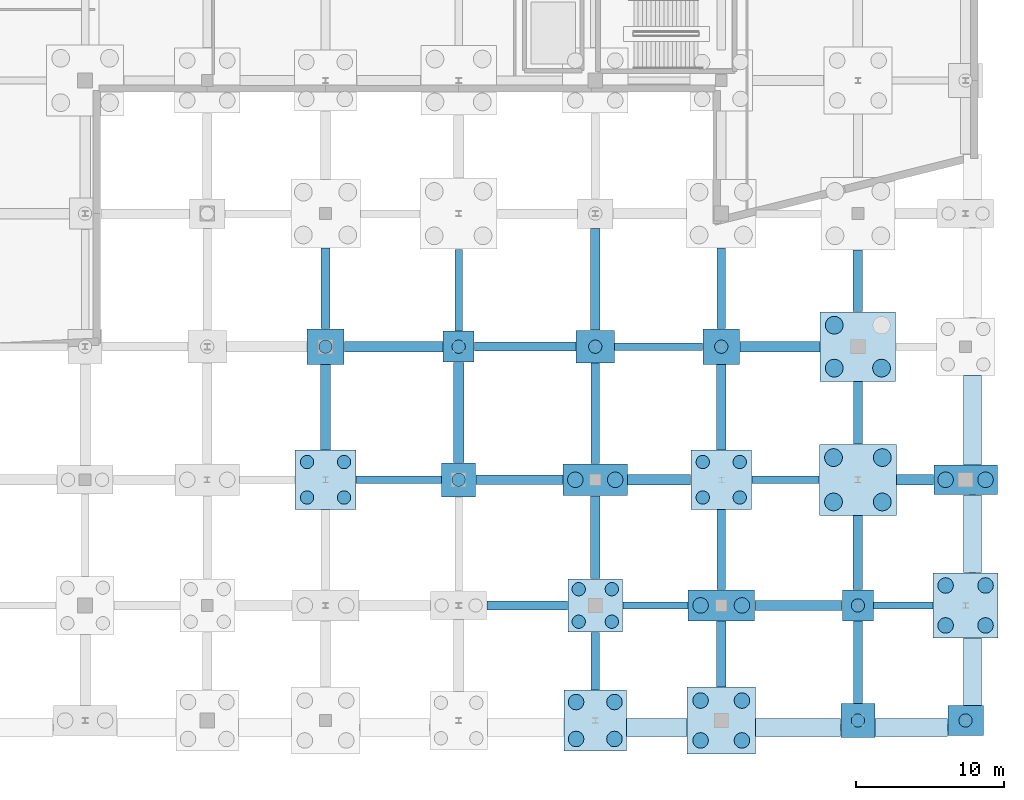
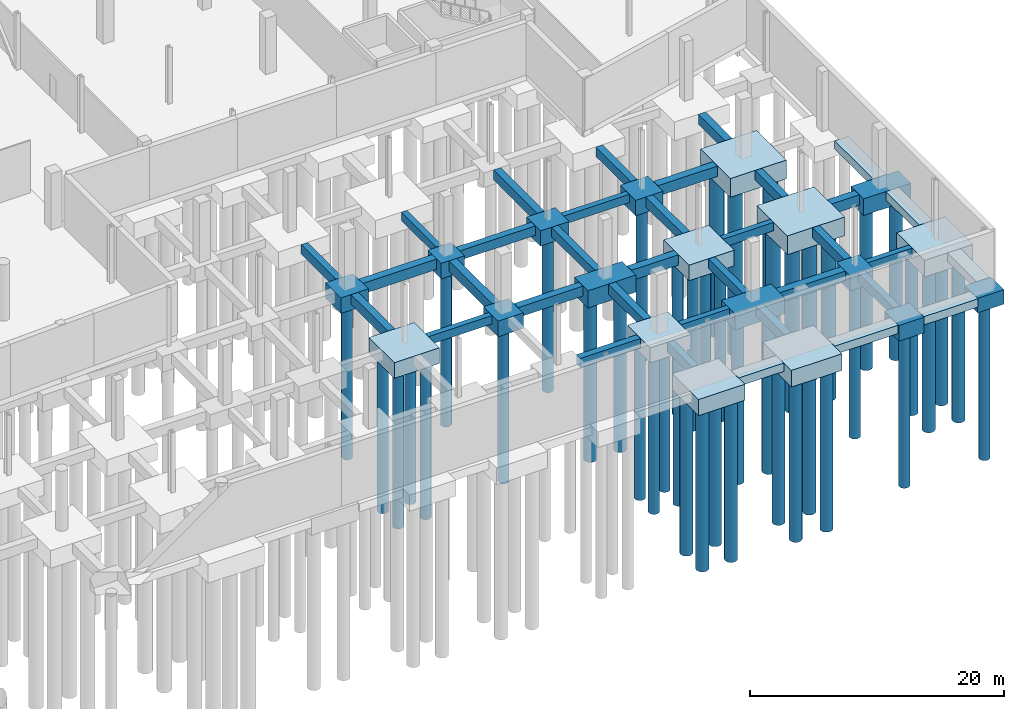
# One storey, part 11 of 60: 54 footings, 45 piles.
"""IFC4 building model written with IfcOpenShell, lengths in metres."""

from ifc_helpers import new_model, si_unit, direction, frame, origin, origin_2d, place, context, subcontext, project, spatial, rectangle, circle, extrude, material, material_profile, profile_set, type_object, element, save


model = new_model("IFC4")

# Units and contexts
model_context = context("Model", 3, precision=1e-05, world=origin(), true_north=direction((0.0, 1.0)))
body_context = subcontext(model_context, "Body", "Model", "MODEL_VIEW")
ifc_project = project(units=[si_unit("LENGTHUNIT", "METRE"), si_unit("AREAUNIT", "SQUARE_METRE"), si_unit("VOLUMEUNIT", "CUBIC_METRE"), si_unit("PLANEANGLEUNIT", "RADIAN"), si_unit("MASSUNIT", "GRAM", prefix="KILO")], contexts=[model_context])

# Site, building, storey
site_placement = place(None, origin())
site = spatial("IfcSite", under=ifc_project, at=site_placement, CompositionType="ELEMENT")
building_placement = place(site_placement, origin())
building = spatial("IfcBuilding", under=site, at=building_placement, Name="Trimount Lyric Opera House", CompositionType="ELEMENT")
storey_placement = place(building_placement, frame((0.0, 0.0, -5.39990234375)))
storey = spatial("IfcBuildingStorey", under=building, at=storey_placement, Name="B1", CompositionType="ELEMENT", Elevation=-5.39990234375)

# Footings
ifc_material_1 = material(Name="Concrete C40/50", Category="concrete")
footing_type_1 = type_object("IfcFootingType", Name="FB-01", PredefinedType="FOOTING_BEAM", material=ifc_material_1)
footing_1_placement = place(storey_placement, frame((134.60009765625, 26.0, -1.60009765625), z_axis=(0.0, 0.0, 1.0), x_axis=(1.0, 0.0, 0.0)))
element("IfcFooting", 1, at=footing_1_placement, inside=storey, type_object=footing_type_1, Name="Ground tie beam X-0316", PredefinedType="FOOTING_BEAM", context=body_context, shape_type="SweptSolid", body=[
    extrude(rectangle(XDim=6.669921875, YDim=0.699951171875, at=origin_2d()), origin(), (0.0, 0.0, 1.0), 1.0),
])
footing_2_placement = place(storey_placement, frame((139.0, 21.550048828125, -1.60009765625), z_axis=(0.0, 0.0, 1.0), x_axis=(1.0, 0.0, 0.0)))
element("IfcFooting", 2, at=footing_2_placement, inside=storey, type_object=footing_type_1, Name="Ground tie beam Y-0336", PredefinedType="FOOTING_BEAM", context=body_context, shape_type="SweptSolid", body=[
    extrude(rectangle(XDim=0.699951171875, YDim=6.77001953125, at=origin_2d()), origin(), (0.0, 0.0, 1.0), 1.0),
])
footing_3_placement = place(storey_placement, frame((152.5625, 17.0, -1.60009765625), z_axis=(0.0, 0.0, 1.0), x_axis=(1.0, 0.0, 0.0)))
element("IfcFooting", 3, at=footing_3_placement, inside=storey, type_object=footing_type_1, Name="Ground tie beam X-0356", PredefinedType="FOOTING_BEAM", context=body_context, shape_type="SweptSolid", body=[
    extrude(rectangle(XDim=4.264892578125, YDim=0.699951171875, at=origin_2d()), origin(), (0.0, 0.0, 1.0), 1.0),
])
footing_4_placement = place(storey_placement, frame((161.97998046875, 8.5, -1.60009765625), z_axis=(0.0, 0.0, 1.0), x_axis=(1.0, 0.0, 0.0)))
element("IfcFooting", 4, at=footing_4_placement, inside=storey, type_object=footing_type_1, Name="Ground tie beam X-0380", PredefinedType="FOOTING_BEAM", context=body_context, shape_type="SweptSolid", body=[
    extrude(rectangle(XDim=5.909912109375, YDim=0.699951171875, at=origin_2d()), origin(), (0.0, 0.0, 1.0), 1.0),
])
footing_5_placement = place(storey_placement, frame((160.72998046875, 26.0, -1.60009765625), z_axis=(0.0, 0.0, 1.0), x_axis=(1.0, 0.0, 0.0)))
element("IfcFooting", 5, at=footing_5_placement, inside=storey, type_object=footing_type_1, Name="Ground tie beam X-0384", PredefinedType="FOOTING_BEAM", context=body_context, shape_type="SweptSolid", body=[
    extrude(rectangle(XDim=5.409912109375, YDim=0.699951171875, at=origin_2d()), origin(), (0.0, 0.0, 1.0), 1.0),
])
footing_6_placement = place(storey_placement, frame((169.864990234375, 17.0, -1.60009765625), z_axis=(0.0, 0.0, 1.0), x_axis=(1.0, 0.0, 0.0)))
element("IfcFooting", 6, at=footing_6_placement, inside=storey, type_object=footing_type_1, Name="Ground tie beam X-0408", PredefinedType="FOOTING_BEAM", context=body_context, shape_type="SweptSolid", body=[
    extrude(rectangle(XDim=2.5, YDim=0.699951171875, at=origin_2d()), origin(), (0.0, 0.0, 1.0), 1.0),
])
ifc_material_2 = material(Name="Concrete C40/50", Category="concrete")
footing_type_2 = type_object("IfcFootingType", Name="FB-02", PredefinedType="FOOTING_BEAM", material=ifc_material_2)
footing_7_placement = place(storey_placement, frame((130.0, 29.949951171875, -1.5), z_axis=(0.0, 0.0, 1.0), x_axis=(1.0, 0.0, 0.0)))
element("IfcFooting", 7, at=footing_7_placement, inside=storey, type_object=footing_type_2, Name="Ground tie beam Y-0317", PredefinedType="FOOTING_BEAM", context=body_context, shape_type="SweptSolid", body=[
    extrude(rectangle(XDim=0.60009765625, YDim=5.469970703125, at=origin_2d()), origin(), (0.0, 0.0, 1.0), 0.89990234375),
])
footing_8_placement = place(storey_placement, frame((143.64501953125, 8.5, -1.5), z_axis=(0.0, 0.0, 1.0), x_axis=(1.0, 0.0, 0.0)))
element("IfcFooting", 8, at=footing_8_placement, inside=storey, type_object=footing_type_2, Name="Ground tie beam X-0333", PredefinedType="FOOTING_BEAM", context=body_context, shape_type="SweptSolid", body=[
    extrude(rectangle(XDim=5.4599609375, YDim=0.60009765625, at=origin_2d()), origin(), (0.0, 0.0, 1.0), 0.89990234375),
])
footing_9_placement = place(storey_placement, frame((143.4951171875, 26.0, -1.5), z_axis=(0.0, 0.0, 1.0), x_axis=(1.0, 0.0, 0.0)))
element("IfcFooting", 9, at=footing_9_placement, inside=storey, type_object=footing_type_2, Name="Ground tie beam X-0337", PredefinedType="FOOTING_BEAM", context=body_context, shape_type="SweptSolid", body=[
    extrude(rectangle(XDim=6.860107421875, YDim=0.60009765625, at=origin_2d()), origin(), (0.0, 0.0, 1.0), 0.89990234375),
])
footing_10_placement = place(storey_placement, frame((148.239990234375, 4.735107421875, -1.5), z_axis=(0.0, 0.0, 1.0), x_axis=(1.0, 0.0, 0.0)))
element("IfcFooting", 10, at=footing_10_placement, inside=storey, type_object=footing_type_2, Name="Ground tie beam Y-0353", PredefinedType="FOOTING_BEAM", context=body_context, shape_type="SweptSolid", body=[
    extrude(rectangle(XDim=0.60009765625, YDim=3.89990234375, at=origin_2d()), origin(), (0.0, 0.0, 1.0), 0.89990234375),
])
footing_11_placement = place(storey_placement, frame((148.239990234375, 21.487548828125, -1.5), z_axis=(0.0, 0.0, 1.0), x_axis=(1.0, 0.0, 0.0)))
element("IfcFooting", 11, at=footing_11_placement, inside=storey, type_object=footing_type_2, Name="Ground tie beam Y-0357", PredefinedType="FOOTING_BEAM", context=body_context, shape_type="SweptSolid", body=[
    extrude(rectangle(XDim=0.60009765625, YDim=6.794921875, at=origin_2d()), origin(), (0.0, 0.0, 1.0), 0.89990234375),
])
footing_12_placement = place(storey_placement, frame((156.760009765625, 12.27490234375, -1.5), z_axis=(0.0, 0.0, 1.0), x_axis=(1.0, 0.0, 0.0)))
element("IfcFooting", 12, at=footing_12_placement, inside=storey, type_object=footing_type_2, Name="Ground tie beam Y-0381", PredefinedType="FOOTING_BEAM", context=body_context, shape_type="SweptSolid", body=[
    extrude(rectangle(XDim=0.60009765625, YDim=5.419921875, at=origin_2d()), origin(), (0.0, 0.0, 1.0), 0.89990234375),
])
footing_13_placement = place(storey_placement, frame((156.760009765625, 29.949951171875, -1.5), z_axis=(0.0, 0.0, 1.0), x_axis=(1.0, 0.0, 0.0)))
element("IfcFooting", 13, at=footing_13_placement, inside=storey, type_object=footing_type_2, Name="Ground tie beam Y-0385", PredefinedType="FOOTING_BEAM", context=body_context, shape_type="SweptSolid", body=[
    extrude(rectangle(XDim=0.60009765625, YDim=5.469970703125, at=origin_2d()), origin(), (0.0, 0.0, 1.0), 0.89990234375),
])
footing_14_placement = place(storey_placement, frame((166.0, 4.659912109375, -1.5), z_axis=(0.0, 0.0, 1.0), x_axis=(1.0, 0.0, 0.0)))
element("IfcFooting", 14, at=footing_14_placement, inside=storey, type_object=footing_type_2, Name="Ground tie beam Y-0405", PredefinedType="FOOTING_BEAM", context=body_context, shape_type="SweptSolid", body=[
    extrude(rectangle(XDim=0.60009765625, YDim=5.550048828125, at=origin_2d()), origin(), (0.0, 0.0, 1.0), 0.89990234375),
])
footing_15_placement = place(storey_placement, frame((166.0, 21.52490234375, -1.5), z_axis=(0.0, 0.0, 1.0), x_axis=(1.0, 0.0, 0.0)))
element("IfcFooting", 15, at=footing_15_placement, inside=storey, type_object=footing_type_2, Name="Ground tie beam Y-0409", PredefinedType="FOOTING_BEAM", context=body_context, shape_type="SweptSolid", body=[
    extrude(rectangle(XDim=0.60009765625, YDim=4.219970703125, at=origin_2d()), origin(), (0.0, 0.0, 1.0), 0.89990234375),
])
ifc_material_3 = material(Name="Concrete C40/50", Category="concrete")
footing_type_3 = type_object("IfcFootingType", Name="FB-03", PredefinedType="FOOTING_BEAM", material=ifc_material_3)
footing_16_placement = place(storey_placement, frame((134.949951171875, 17.0, -1.39990234375), z_axis=(0.0, 0.0, 1.0), x_axis=(1.0, 0.0, 0.0)))
element("IfcFooting", 16, at=footing_16_placement, inside=storey, type_object=footing_type_3, Name="Ground tie beam X-0314", PredefinedType="FOOTING_BEAM", context=body_context, shape_type="SweptSolid", body=[
    extrude(rectangle(XDim=5.77001953125, YDim=0.5, at=origin_2d()), origin(), (0.0, 0.0, 1.0), 0.800048828125),
])
footing_17_placement = place(storey_placement, frame((139.0, 29.824951171875, -1.39990234375), z_axis=(0.0, 0.0, 1.0), x_axis=(1.0, 0.0, 0.0)))
element("IfcFooting", 17, at=footing_17_placement, inside=storey, type_object=footing_type_3, Name="Ground tie beam Y-0338", PredefinedType="FOOTING_BEAM", context=body_context, shape_type="SweptSolid", body=[
    extrude(rectangle(XDim=0.5, YDim=5.52001953125, at=origin_2d()), origin(), (0.0, 0.0, 1.0), 0.800048828125),
])
footing_18_placement = place(storey_placement, frame((152.300048828125, 8.5, -1.39990234375), z_axis=(0.0, 0.0, 1.0), x_axis=(1.0, 0.0, 0.0)))
element("IfcFooting", 18, at=footing_18_placement, inside=storey, type_object=footing_type_3, Name="Ground tie beam X-0354", PredefinedType="FOOTING_BEAM", context=body_context, shape_type="SweptSolid", body=[
    extrude(rectangle(XDim=4.389892578125, YDim=0.5, at=origin_2d()), origin(), (0.0, 0.0, 1.0), 0.800048828125),
])
footing_19_placement = place(storey_placement, frame((152.52490234375, 26.0, -1.39990234375), z_axis=(0.0, 0.0, 1.0), x_axis=(1.0, 0.0, 0.0)))
element("IfcFooting", 19, at=footing_19_placement, inside=storey, type_object=footing_type_3, Name="Ground tie beam X-0358", PredefinedType="FOOTING_BEAM", context=body_context, shape_type="SweptSolid", body=[
    extrude(rectangle(XDim=5.93994140625, YDim=0.5, at=origin_2d()), origin(), (0.0, 0.0, 1.0), 0.800048828125),
])
footing_20_placement = place(storey_placement, frame((161.10498046875, 17.0, -1.39990234375), z_axis=(0.0, 0.0, 1.0), x_axis=(1.0, 0.0, 0.0)))
element("IfcFooting", 20, at=footing_20_placement, inside=storey, type_object=footing_type_3, Name="Ground tie beam X-0382", PredefinedType="FOOTING_BEAM", context=body_context, shape_type="SweptSolid", body=[
    extrude(rectangle(XDim=4.56005859375, YDim=0.5, at=origin_2d()), origin(), (0.0, 0.0, 1.0), 0.800048828125),
])
footing_21_placement = place(storey_placement, frame((169.06494140625, 8.5, -1.39990234375), z_axis=(0.0, 0.0, 1.0), x_axis=(1.0, 0.0, 0.0)))
element("IfcFooting", 21, at=footing_21_placement, inside=storey, type_object=footing_type_3, Name="Ground tie beam X-0406", PredefinedType="FOOTING_BEAM", context=body_context, shape_type="SweptSolid", body=[
    extrude(rectangle(XDim=4.0, YDim=0.5, at=origin_2d()), origin(), (0.0, 0.0, 1.0), 0.800048828125),
])
ifc_material_4 = material(Name="Concrete C40/50", Category="concrete")
footing_type_4 = type_object("IfcFootingType", Name="FB-04", PredefinedType="FOOTING_BEAM", material=ifc_material_4)
footing_22_placement = place(storey_placement, frame((130.0, 21.89990234375, -1.55029296875), z_axis=(0.0, 0.0, 1.0), x_axis=(1.0, 0.0, 0.0)))
element("IfcFooting", 22, at=footing_22_placement, inside=storey, type_object=footing_type_4, Name="Ground tie beam Y-0315", PredefinedType="FOOTING_BEAM", context=body_context, shape_type="SweptSolid", body=[
    extrude(rectangle(XDim=0.64990234375, YDim=5.77001953125, at=origin_2d()), origin(), (0.0, 0.0, 1.0), 0.949951171875),
])
footing_23_placement = place(storey_placement, frame((143.107421875, 17.0, -1.55029296875), z_axis=(0.0, 0.0, 1.0), x_axis=(1.0, 0.0, 0.0)))
element("IfcFooting", 23, at=footing_23_placement, inside=storey, type_object=footing_type_4, Name="Ground tie beam X-0335", PredefinedType="FOOTING_BEAM", context=body_context, shape_type="SweptSolid", body=[
    extrude(rectangle(XDim=5.885009765625, YDim=0.64990234375, at=origin_2d()), origin(), (0.0, 0.0, 1.0), 0.949951171875),
])
footing_24_placement = place(storey_placement, frame((148.239990234375, 13.112548828125, -1.55029296875), z_axis=(0.0, 0.0, 1.0), x_axis=(1.0, 0.0, 0.0)))
element("IfcFooting", 24, at=footing_24_placement, inside=storey, type_object=footing_type_4, Name="Ground tie beam Y-0355", PredefinedType="FOOTING_BEAM", context=body_context, shape_type="SweptSolid", body=[
    extrude(rectangle(XDim=0.64990234375, YDim=5.594970703125, at=origin_2d()), origin(), (0.0, 0.0, 1.0), 0.949951171875),
])
footing_25_placement = place(storey_placement, frame((148.239990234375, 30.550048828125, -1.55029296875), z_axis=(0.0, 0.0, 1.0), x_axis=(1.0, 0.0, 0.0)))
element("IfcFooting", 25, at=footing_25_placement, inside=storey, type_object=footing_type_4, Name="Ground tie beam Y-0359", PredefinedType="FOOTING_BEAM", context=body_context, shape_type="SweptSolid", body=[
    extrude(rectangle(XDim=0.64990234375, YDim=6.8701171875, at=origin_2d()), origin(), (0.0, 0.0, 1.0), 0.949951171875),
])
footing_26_placement = place(storey_placement, frame((156.760009765625, 5.2099609375, -1.55029296875), z_axis=(0.0, 0.0, 1.0), x_axis=(1.0, 0.0, 0.0)))
element("IfcFooting", 26, at=footing_26_placement, inside=storey, type_object=footing_type_4, Name="Ground tie beam Y-0379", PredefinedType="FOOTING_BEAM", context=body_context, shape_type="SweptSolid", body=[
    extrude(rectangle(XDim=0.64990234375, YDim=4.449951171875, at=origin_2d()), origin(), (0.0, 0.0, 1.0), 0.949951171875),
])
footing_27_placement = place(storey_placement, frame((156.760009765625, 21.89990234375, -1.55029296875), z_axis=(0.0, 0.0, 1.0), x_axis=(1.0, 0.0, 0.0)))
element("IfcFooting", 27, at=footing_27_placement, inside=storey, type_object=footing_type_4, Name="Ground tie beam Y-0383", PredefinedType="FOOTING_BEAM", context=body_context, shape_type="SweptSolid", body=[
    extrude(rectangle(XDim=0.64990234375, YDim=5.77001953125, at=origin_2d()), origin(), (0.0, 0.0, 1.0), 0.949951171875),
])
footing_28_placement = place(storey_placement, frame((166.0, 12.074951171875, -1.55029296875), z_axis=(0.0, 0.0, 1.0), x_axis=(1.0, 0.0, 0.0)))
element("IfcFooting", 28, at=footing_28_placement, inside=storey, type_object=footing_type_4, Name="Ground tie beam Y-0407", PredefinedType="FOOTING_BEAM", context=body_context, shape_type="SweptSolid", body=[
    extrude(rectangle(XDim=0.64990234375, YDim=5.02001953125, at=origin_2d()), origin(), (0.0, 0.0, 1.0), 0.949951171875),
])
footing_29_placement = place(storey_placement, frame((166.0, 30.449951171875, -1.55029296875), z_axis=(0.0, 0.0, 1.0), x_axis=(1.0, 0.0, 0.0)))
element("IfcFooting", 29, at=footing_29_placement, inside=storey, type_object=footing_type_4, Name="Ground tie beam Y-0411", PredefinedType="FOOTING_BEAM", context=body_context, shape_type="SweptSolid", body=[
    extrude(rectangle(XDim=0.64990234375, YDim=4.169921875, at=origin_2d()), origin(), (0.0, 0.0, 1.0), 0.949951171875),
])
ifc_material_5 = material(Name="Concrete C40/50", Category="concrete")
footing_type_5 = type_object("IfcFootingType", Name="PC-04", PredefinedType="PILE_CAP", material=ifc_material_5)
footing_30_placement = place(storey_placement, frame((173.280029296875, 8.5, -2.2001953125), z_axis=(0.0, 0.0, 1.0), x_axis=(1.0, 0.0, 0.0)))
element("IfcFooting", 30, at=footing_30_placement, inside=storey, type_object=footing_type_5, Name="Pile cap 20/B", PredefinedType="PILE_CAP", context=body_context, shape_type="SweptSolid", body=[
    extrude(rectangle(XDim=4.39990234375, YDim=4.39990234375, at=origin_2d()), origin(), (0.0, 0.0, 1.0), 1.60009765625),
])
ifc_material_6 = material(Name="Concrete C40/50", Category="concrete")
footing_type_6 = type_object("IfcFootingType", Name="PC-05", PredefinedType="PILE_CAP", material=ifc_material_6)
footing_31_placement = place(storey_placement, frame((173.280029296875, 17.0, -2.2001953125), z_axis=(0.0, 0.0, 1.0), x_axis=(1.0, 0.0, 0.0)))
element("IfcFooting", 31, at=footing_31_placement, inside=storey, type_object=footing_type_6, Name="Pile cap 20/C", PredefinedType="PILE_CAP", context=body_context, shape_type="SweptSolid", body=[
    extrude(rectangle(XDim=4.300048828125, YDim=2.0, at=origin_2d()), origin(), (0.0, 0.0, 1.0), 1.60009765625),
])
ifc_material_7 = material(Name="Concrete C40/50", Category="concrete")
footing_type_7 = type_object("IfcFootingType", Name="PC-08", PredefinedType="PILE_CAP", material=ifc_material_7)
for number, where, z_axis, x_axis, name in (
    (32, (139.0, 17.0, -2.10009765625), (0.0, 0.0, 1.0), (1.0, 0.0, 0.0), "Pile cap 16/C"),
    (33, (166.0, 0.719970703125, -2.10009765625), (0.0, 0.0, 1.0), (1.0, 0.0, 0.0), "Pile cap 19/A"),
):
    element("IfcFooting", number, at=place(storey_placement, frame(where, z_axis=z_axis, x_axis=x_axis)), inside=storey, type_object=footing_type_7, Name=name, PredefinedType="PILE_CAP", context=body_context, shape_type="SweptSolid", body=[
        extrude(rectangle(XDim=2.300048828125, YDim=2.300048828125, at=origin_2d()), origin(), (0.0, 0.0, 1.0), 1.5),
    ])
ifc_material_8 = material(Name="Concrete C40/50", Category="concrete")
footing_type_8 = type_object("IfcFootingType", Name="PC-09", PredefinedType="PILE_CAP", material=ifc_material_8)
for number, where, z_axis, x_axis, name in (
    (34, (139.0, 26.0, -2.10009765625), (0.0, 0.0, 1.0), (1.0, 0.0, 0.0), "Pile cap 16/D"),
    (35, (166.0, 8.5, -2.10009765625), (0.0, 0.0, 1.0), (1.0, 0.0, 0.0), "Pile cap 19/B"),
):
    element("IfcFooting", number, at=place(storey_placement, frame(where, z_axis=z_axis, x_axis=x_axis)), inside=storey, type_object=footing_type_8, Name=name, PredefinedType="PILE_CAP", context=body_context, shape_type="SweptSolid", body=[
        extrude(rectangle(XDim=2.10009765625, YDim=2.10009765625, at=origin_2d()), origin(), (0.0, 0.0, 1.0), 1.5),
    ])
ifc_material_9 = material(Name="Concrete C40/50", Category="concrete")
footing_type_9 = type_object("IfcFootingType", Name="PC-10", PredefinedType="PILE_CAP", material=ifc_material_9)
footing_32_placement = place(storey_placement, frame((166.0, 17.0, -2.39990234375), z_axis=(0.0, 0.0, 1.0), x_axis=(1.0, 0.0, 0.0)))
element("IfcFooting", 36, at=footing_32_placement, inside=storey, type_object=footing_type_9, Name="Pile cap 19/C", PredefinedType="PILE_CAP", context=body_context, shape_type="SweptSolid", body=[
    extrude(rectangle(XDim=5.199951171875, YDim=4.800048828125, at=origin_2d()), origin(), (0.0, 0.0, 1.0), 1.800048828125),
])
ifc_material_10 = material(Name="Concrete C40/50", Category="concrete")
footing_type_10 = type_object("IfcFootingType", Name="PC-11", PredefinedType="PILE_CAP", material=ifc_material_10)
footing_33_placement = place(storey_placement, frame((166.0, 26.0, -2.39990234375), z_axis=(0.0, 0.0, 1.0), x_axis=(1.0, 0.0, 0.0)))
element("IfcFooting", 37, at=footing_33_placement, inside=storey, type_object=footing_type_10, Name="Pile cap 19/D", PredefinedType="PILE_CAP", context=body_context, shape_type="SweptSolid", body=[
    extrude(rectangle(XDim=5.10009765625, YDim=4.699951171875, at=origin_2d()), origin(), (0.0, 0.0, 1.0), 1.800048828125),
])
ifc_material_11 = material(Name="Concrete C40/50", Category="concrete")
footing_type_11 = type_object("IfcFootingType", Name="PC-13", PredefinedType="PILE_CAP", material=ifc_material_11)
footing_34_placement = place(storey_placement, frame((156.760009765625, 0.719970703125, -2.2001953125), z_axis=(0.0, 0.0, 1.0), x_axis=(1.0, 0.0, 0.0)))
element("IfcFooting", 38, at=footing_34_placement, inside=storey, type_object=footing_type_11, Name="Pile cap 18/A", PredefinedType="PILE_CAP", context=body_context, shape_type="SweptSolid", body=[
    extrude(rectangle(XDim=4.60009765625, YDim=4.5, at=origin_2d()), origin(), (0.0, 0.0, 1.0), 1.60009765625),
])
ifc_material_12 = material(Name="Concrete C40/50", Category="concrete")
footing_type_12 = type_object("IfcFootingType", Name="PC-14", PredefinedType="PILE_CAP", material=ifc_material_12)
footing_35_placement = place(storey_placement, frame((156.760009765625, 8.5, -2.2001953125), z_axis=(0.0, 0.0, 1.0), x_axis=(1.0, 0.0, 0.0)))
element("IfcFooting", 39, at=footing_35_placement, inside=storey, type_object=footing_type_12, Name="Pile cap 18/B", PredefinedType="PILE_CAP", context=body_context, shape_type="SweptSolid", body=[
    extrude(rectangle(XDim=4.5, YDim=2.10009765625, at=origin_2d()), origin(), (0.0, 0.0, 1.0), 1.60009765625),
])
ifc_material_13 = material(Name="Concrete C40/50", Category="concrete")
footing_type_13 = type_object("IfcFootingType", Name="PC-15", PredefinedType="PILE_CAP", material=ifc_material_13)
for number, where, z_axis, x_axis, name in (
    (40, (130.0, 17.0, -2.10009765625), (0.0, 0.0, 1.0), (1.0, 0.0, 0.0), "Pile cap 15/C"),
    (41, (156.760009765625, 17.0, -2.10009765625), (0.0, 0.0, 1.0), (1.0, 0.0, 0.0), "Pile cap 18/C"),
):
    element("IfcFooting", number, at=place(storey_placement, frame(where, z_axis=z_axis, x_axis=x_axis)), inside=storey, type_object=footing_type_13, Name=name, PredefinedType="PILE_CAP", context=body_context, shape_type="SweptSolid", body=[
        extrude(rectangle(XDim=4.10009765625, YDim=4.0, at=origin_2d()), origin(), (0.0, 0.0, 1.0), 1.5),
    ])
ifc_material_14 = material(Name="Concrete C40/50", Category="concrete")
footing_type_14 = type_object("IfcFootingType", Name="PC-16", PredefinedType="PILE_CAP", material=ifc_material_14)
for number, where, z_axis, x_axis, name in (
    (42, (130.0, 26.0, -2.10009765625), (0.0, 0.0, 1.0), (1.0, 0.0, 0.0), "Pile cap 15/D"),
    (43, (156.760009765625, 26.0, -2.10009765625), (0.0, 0.0, 1.0), (1.0, 0.0, 0.0), "Pile cap 18/D"),
):
    element("IfcFooting", number, at=place(storey_placement, frame(where, z_axis=z_axis, x_axis=x_axis)), inside=storey, type_object=footing_type_14, Name=name, PredefinedType="PILE_CAP", context=body_context, shape_type="SweptSolid", body=[
        extrude(rectangle(XDim=2.5, YDim=2.39990234375, at=origin_2d()), origin(), (0.0, 0.0, 1.0), 1.5),
    ])
ifc_material_15 = material(Name="Concrete C40/50", Category="concrete")
footing_type_15 = type_object("IfcFootingType", Name="PC-18", PredefinedType="PILE_CAP", material=ifc_material_15)
footing_36_placement = place(storey_placement, frame((148.239990234375, 0.719970703125, -2.14990234375), z_axis=(0.0, 0.0, 1.0), x_axis=(1.0, 0.0, 0.0)))
element("IfcFooting", 44, at=footing_36_placement, inside=storey, type_object=footing_type_15, Name="Pile cap 17/A", PredefinedType="PILE_CAP", context=body_context, shape_type="SweptSolid", body=[
    extrude(rectangle(XDim=4.199951171875, YDim=4.10009765625, at=origin_2d()), origin(), (0.0, 0.0, 1.0), 1.550048828125),
])
ifc_material_16 = material(Name="Concrete C40/50", Category="concrete")
footing_type_16 = type_object("IfcFootingType", Name="PC-19", PredefinedType="PILE_CAP", material=ifc_material_16)
footing_37_placement = place(storey_placement, frame((148.239990234375, 8.5, -2.05029296875), z_axis=(0.0, 0.0, 1.0), x_axis=(1.0, 0.0, 0.0)))
element("IfcFooting", 45, at=footing_37_placement, inside=storey, type_object=footing_type_16, Name="Pile cap 17/B", PredefinedType="PILE_CAP", context=body_context, shape_type="SweptSolid", body=[
    extrude(rectangle(XDim=3.699951171875, YDim=3.60009765625, at=origin_2d()), origin(), (0.0, 0.0, 1.0), 1.449951171875),
])
ifc_material_17 = material(Name="Concrete C40/50", Category="concrete")
footing_type_17 = type_object("IfcFootingType", Name="PC-20", PredefinedType="PILE_CAP", material=ifc_material_17)
footing_38_placement = place(storey_placement, frame((148.239990234375, 17.0, -2.25), z_axis=(0.0, 0.0, 1.0), x_axis=(1.0, 0.0, 0.0)))
element("IfcFooting", 46, at=footing_38_placement, inside=storey, type_object=footing_type_17, Name="Pile cap 17/C", PredefinedType="PILE_CAP", context=body_context, shape_type="SweptSolid", body=[
    extrude(rectangle(XDim=4.35009765625, YDim=2.14990234375, at=origin_2d()), origin(), (0.0, 0.0, 1.0), 1.64990234375),
])
ifc_material_18 = material(Name="Concrete C40/50", Category="concrete")
footing_type_18 = type_object("IfcFootingType", Name="PC-21", PredefinedType="PILE_CAP", material=ifc_material_18)
footing_39_placement = place(storey_placement, frame((148.239990234375, 26.0, -2.05029296875), z_axis=(0.0, 0.0, 1.0), x_axis=(1.0, 0.0, 0.0)))
element("IfcFooting", 47, at=footing_39_placement, inside=storey, type_object=footing_type_18, Name="Pile cap 17/D", PredefinedType="PILE_CAP", context=body_context, shape_type="SweptSolid", body=[
    extrude(rectangle(XDim=2.60009765625, YDim=2.199951171875, at=origin_2d()), origin(), (0.0, 0.0, 1.0), 1.449951171875),
])
ifc_material_19 = material(Name="Concrete C40/50", Category="concrete")
footing_type_19 = type_object("IfcFootingType", Name="PC-22", PredefinedType="PILE_CAP", material=ifc_material_19)
footing_40_placement = place(storey_placement, frame((173.280029296875, 0.719970703125, -2.0), z_axis=(0.0, 0.0, 1.0), x_axis=(1.0, 0.0, 0.0)))
element("IfcFooting", 48, at=footing_40_placement, inside=storey, type_object=footing_type_19, Name="Pile cap 20/A", PredefinedType="PILE_CAP", context=body_context, shape_type="SweptSolid", body=[
    extrude(rectangle(XDim=2.39990234375, YDim=2.0, at=origin_2d()), origin(), (0.0, 0.0, 1.0), 1.39990234375),
])

# Piles
ifc_material_20 = material(Name="Concrete C40/50", Category="concrete")
ifc_material_profile_1 = material_profile(ifc_material_20, circle(Radius=0.52490234375, at=origin_2d()), Name="PILE-D1050")
ifc_profile_set_1 = profile_set([ifc_material_profile_1], Name="Concrete C40/50")
pile_type_1 = type_object("IfcPileType", Name="PL-1050", PredefinedType="BORED", material=ifc_profile_set_1)
for number, where, z_axis, x_axis, name in (
    (49, (146.93994140625, -0.530029296875, -2.050048828125), (0.0, 0.0, -1.0), (1.0, 0.0, 0.0), "Bored pile 0606"),
    (50, (149.5400390625, -0.530029296875, -2.050048828125), (0.0, 0.0, -1.0), (1.0, 0.0, 0.0), "Bored pile 0607"),
    (51, (146.93994140625, 1.969970703125, -2.050048828125), (0.0, 0.0, -1.0), (1.0, 0.0, 0.0), "Bored pile 0608"),
    (52, (149.5400390625, 1.969970703125, -2.050048828125), (0.0, 0.0, -1.0), (1.0, 0.0, 0.0), "Bored pile 0609"),
    (53, (146.889892578125, 17.0, -2.150146484375), (0.0, 0.0, -1.0), (1.0, 0.0, 0.0), "Bored pile 0614"),
    (54, (149.590087890625, 17.0, -2.150146484375), (0.0, 0.0, -1.0), (1.0, 0.0, 0.0), "Bored pile 0615"),
    (55, (155.360107421875, -0.6298828125, -2.10009765625), (0.0, 0.0, -1.0), (1.0, 0.0, 0.0), "Bored pile 0644"),
    (56, (158.159912109375, -0.6298828125, -2.10009765625), (0.0, 0.0, -1.0), (1.0, 0.0, 0.0), "Bored pile 0645"),
    (57, (155.360107421875, 2.070068359375, -2.10009765625), (0.0, 0.0, -1.0), (1.0, 0.0, 0.0), "Bored pile 0646"),
    (58, (158.159912109375, 2.070068359375, -2.10009765625), (0.0, 0.0, -1.0), (1.0, 0.0, 0.0), "Bored pile 0647"),
    (59, (155.360107421875, 8.5, -2.10009765625), (0.0, 0.0, -1.0), (1.0, 0.0, 0.0), "Bored pile 0648"),
    (60, (158.159912109375, 8.5, -2.10009765625), (0.0, 0.0, -1.0), (1.0, 0.0, 0.0), "Bored pile 0649"),
    (61, (171.929931640625, 7.14990234375, -2.10009765625), (0.0, 0.0, -1.0), (1.0, 0.0, 0.0), "Bored pile 0724"),
    (62, (174.6298828125, 7.14990234375, -2.10009765625), (0.0, 0.0, -1.0), (1.0, 0.0, 0.0), "Bored pile 0725"),
    (63, (171.929931640625, 9.85009765625, -2.10009765625), (0.0, 0.0, -1.0), (1.0, 0.0, 0.0), "Bored pile 0726"),
    (64, (174.6298828125, 9.85009765625, -2.10009765625), (0.0, 0.0, -1.0), (1.0, 0.0, 0.0), "Bored pile 0727"),
    (65, (171.929931640625, 17.0, -2.10009765625), (0.0, 0.0, -1.0), (1.0, 0.0, 0.0), "Bored pile 0728"),
    (66, (174.6298828125, 17.0, -2.10009765625), (0.0, 0.0, -1.0), (1.0, 0.0, 0.0), "Bored pile 0729"),
):
    element("IfcPile", number, at=place(storey_placement, frame(where, z_axis=z_axis, x_axis=x_axis)), inside=storey, type_object=pile_type_1, Name=name, PredefinedType="BORED", context=body_context, shape_type="SweptSolid", body=[
        extrude(circle(Radius=0.52490234375, at=origin_2d()), origin(), (0.0, 0.0, 1.0), 15.5),
    ])
ifc_material_21 = material(Name="Concrete C40/50", Category="concrete")
ifc_material_profile_2 = material_profile(ifc_material_21, circle(Radius=0.60009765625, at=origin_2d()), Name="PILE-D1200")
ifc_profile_set_2 = profile_set([ifc_material_profile_2], Name="Concrete C40/50")
pile_type_2 = type_object("IfcPileType", Name="PL-1200", PredefinedType="BORED", material=ifc_profile_set_2)
for number, where, z_axis, x_axis, name in (
    (67, (164.35009765625, 15.5, -2.300048828125), (0.0, 0.0, -1.0), (1.0, 0.0, 0.0), "Bored pile 0685"),
    (68, (167.64990234375, 15.5, -2.300048828125), (0.0, 0.0, -1.0), (1.0, 0.0, 0.0), "Bored pile 0686"),
    (69, (164.35009765625, 18.5, -2.300048828125), (0.0, 0.0, -1.0), (1.0, 0.0, 0.0), "Bored pile 0687"),
    (70, (167.64990234375, 18.5, -2.300048828125), (0.0, 0.0, -1.0), (1.0, 0.0, 0.0), "Bored pile 0688"),
    (71, (164.39990234375, 24.550048828125, -2.300048828125), (0.0, 0.0, -1.0), (1.0, 0.0, 0.0), "Bored pile 0689"),
    (72, (167.60009765625, 24.550048828125, -2.300048828125), (0.0, 0.0, -1.0), (1.0, 0.0, 0.0), "Bored pile 0690"),
    (73, (164.39990234375, 27.449951171875, -2.300048828125), (0.0, 0.0, -1.0), (1.0, 0.0, 0.0), "Bored pile 0691"),
):
    element("IfcPile", number, at=place(storey_placement, frame(where, z_axis=z_axis, x_axis=x_axis)), inside=storey, type_object=pile_type_2, Name=name, PredefinedType="BORED", context=body_context, shape_type="SweptSolid", body=[
        extrude(circle(Radius=0.60009765625, at=origin_2d()), origin(), (0.0, 0.0, 1.0), 15.800048828125),
    ])
ifc_material_22 = material(Name="Concrete C40/50", Category="concrete")
ifc_material_profile_3 = material_profile(ifc_material_22, circle(Radius=0.449951171875, at=origin_2d()), Name="PILE-D900")
ifc_profile_set_3 = profile_set([ifc_material_profile_3], Name="Concrete C40/50")
pile_type_3 = type_object("IfcPileType", Name="PL-900", PredefinedType="BORED", material=ifc_profile_set_3)
for number, where, z_axis, x_axis, name in (
    (74, (128.75, 15.800048828125, -2.0), (0.0, 0.0, -1.0), (1.0, 0.0, 0.0), "Bored pile 0544"),
    (75, (131.25, 15.800048828125, -2.0), (0.0, 0.0, -1.0), (1.0, 0.0, 0.0), "Bored pile 0545"),
    (76, (128.75, 18.199951171875, -2.0), (0.0, 0.0, -1.0), (1.0, 0.0, 0.0), "Bored pile 0546"),
    (77, (131.25, 18.199951171875, -2.0), (0.0, 0.0, -1.0), (1.0, 0.0, 0.0), "Bored pile 0547"),
    (78, (130.0, 26.0, -2.0), (0.0, 0.0, -1.0), (1.0, 0.0, 0.0), "Bored pile 0548"),
    (79, (139.0, 17.0, -2.0), (0.0, 0.0, -1.0), (1.0, 0.0, 0.0), "Bored pile 0577"),
    (80, (139.0, 26.0, -2.0), (0.0, 0.0, -1.0), (1.0, 0.0, 0.0), "Bored pile 0578"),
    (81, (147.1201171875, 7.39990234375, -1.9501953125), (0.0, 0.0, -1.0), (1.0, 0.0, 0.0), "Bored pile 0610"),
    (82, (149.360107421875, 7.39990234375, -1.9501953125), (0.0, 0.0, -1.0), (1.0, 0.0, 0.0), "Bored pile 0611"),
    (83, (147.1201171875, 9.60009765625, -1.9501953125), (0.0, 0.0, -1.0), (1.0, 0.0, 0.0), "Bored pile 0612"),
    (84, (149.360107421875, 9.60009765625, -1.9501953125), (0.0, 0.0, -1.0), (1.0, 0.0, 0.0), "Bored pile 0613"),
    (85, (148.239990234375, 26.0, -1.9501953125), (0.0, 0.0, -1.0), (1.0, 0.0, 0.0), "Bored pile 0616"),
    (86, (155.510009765625, 15.800048828125, -2.0), (0.0, 0.0, -1.0), (1.0, 0.0, 0.0), "Bored pile 0650"),
    (87, (158.010009765625, 15.800048828125, -2.0), (0.0, 0.0, -1.0), (1.0, 0.0, 0.0), "Bored pile 0651"),
    (88, (155.510009765625, 18.199951171875, -2.0), (0.0, 0.0, -1.0), (1.0, 0.0, 0.0), "Bored pile 0652"),
    (89, (158.010009765625, 18.199951171875, -2.0), (0.0, 0.0, -1.0), (1.0, 0.0, 0.0), "Bored pile 0653"),
    (90, (156.760009765625, 26.0, -2.0), (0.0, 0.0, -1.0), (1.0, 0.0, 0.0), "Bored pile 0654"),
    (91, (166.0, 0.719970703125, -2.0), (0.0, 0.0, -1.0), (1.0, 0.0, 0.0), "Bored pile 0683"),
    (92, (166.0, 8.5, -2.0), (0.0, 0.0, -1.0), (1.0, 0.0, 0.0), "Bored pile 0684"),
    (93, (173.280029296875, 0.719970703125, -1.900146484375), (0.0, 0.0, -1.0), (1.0, 0.0, 0.0), "Bored pile 0723"),
):
    element("IfcPile", number, at=place(storey_placement, frame(where, z_axis=z_axis, x_axis=x_axis)), inside=storey, type_object=pile_type_3, Name=name, PredefinedType="BORED", context=body_context, shape_type="SweptSolid", body=[
        extrude(circle(Radius=0.449951171875, at=origin_2d()), origin(), (0.0, 0.0, 1.0), 15.0),
    ])

# Footings
ifc_material_23 = material(Name="Concrete C40/50", Category="concrete")
footing_type_20 = type_object("IfcFootingType", Name="SF-02", PredefinedType="STRIP_FOOTING", material=ifc_material_23)
footing_41_placement = place(storey_placement, frame((152.39990234375, 0.25, -1.39990234375), z_axis=(0.0, 0.0, 1.0), x_axis=(1.0, 0.0, 0.0)))
element("IfcFooting", 94, at=footing_41_placement, inside=storey, type_object=footing_type_20, Name="Plaza perimeter plinth strip footing PLINTH-S2 seg 5", PredefinedType="STRIP_FOOTING", context=body_context, shape_type="SweptSolid", body=[
    extrude(rectangle(XDim=4.090087890625, YDim=1.199951171875, at=origin_2d()), origin(), (0.0, 0.0, 1.0), 0.800048828125),
])
footing_42_placement = place(storey_placement, frame((161.955078125, 0.25, -1.39990234375), z_axis=(0.0, 0.0, 1.0), x_axis=(1.0, 0.0, 0.0)))
element("IfcFooting", 95, at=footing_42_placement, inside=storey, type_object=footing_type_20, Name="Plaza perimeter plinth strip footing PLINTH-S2 seg 6", PredefinedType="STRIP_FOOTING", context=body_context, shape_type="SweptSolid", body=[
    extrude(rectangle(XDim=5.760009765625, YDim=1.199951171875, at=origin_2d()), origin(), (0.0, 0.0, 1.0), 0.800048828125),
])
footing_43_placement = place(storey_placement, frame((169.614990234375, 0.25, -1.39990234375), z_axis=(0.0, 0.0, 1.0), x_axis=(1.0, 0.0, 0.0)))
element("IfcFooting", 96, at=footing_43_placement, inside=storey, type_object=footing_type_20, Name="Plaza perimeter plinth strip footing PLINTH-S2 seg 7", PredefinedType="STRIP_FOOTING", context=body_context, shape_type="SweptSolid", body=[
    extrude(rectangle(XDim=4.89990234375, YDim=1.199951171875, at=origin_2d()), origin(), (0.0, 0.0, 1.0), 0.800048828125),
])
footing_44_placement = place(storey_placement, frame((173.75, 4.010009765625, -1.39990234375), z_axis=(0.0, 0.0, 1.0), x_axis=(1.0, 0.0, 0.0)))
element("IfcFooting", 97, at=footing_44_placement, inside=storey, type_object=footing_type_20, Name="Plaza perimeter plinth strip footing PLINTH-E1 seg 1", PredefinedType="STRIP_FOOTING", context=body_context, shape_type="SweptSolid", body=[
    extrude(rectangle(XDim=1.199951171875, YDim=4.550048828125, at=origin_2d()), origin(), (0.0, 0.0, 1.0), 0.800048828125),
])
footing_45_placement = place(storey_placement, frame((173.75, 13.35009765625, -1.39990234375), z_axis=(0.0, 0.0, 1.0), x_axis=(1.0, 0.0, 0.0)))
element("IfcFooting", 98, at=footing_45_placement, inside=storey, type_object=footing_type_20, Name="Plaza perimeter plinth strip footing PLINTH-E1 seg 2", PredefinedType="STRIP_FOOTING", context=body_context, shape_type="SweptSolid", body=[
    extrude(rectangle(XDim=1.199951171875, YDim=5.27001953125, at=origin_2d()), origin(), (0.0, 0.0, 1.0), 0.800048828125),
])
footing_46_placement = place(storey_placement, frame((173.75, 21.02490234375, -1.39990234375), z_axis=(0.0, 0.0, 1.0), x_axis=(1.0, 0.0, 0.0)))
element("IfcFooting", 99, at=footing_46_placement, inside=storey, type_object=footing_type_20, Name="Plaza perimeter plinth strip footing PLINTH-E1 seg 3", PredefinedType="STRIP_FOOTING", context=body_context, shape_type="SweptSolid", body=[
    extrude(rectangle(XDim=1.199951171875, YDim=6.02001953125, at=origin_2d()), origin(), (0.0, 0.0, 1.0), 0.800048828125),
])

save(model, "model.ifc")
